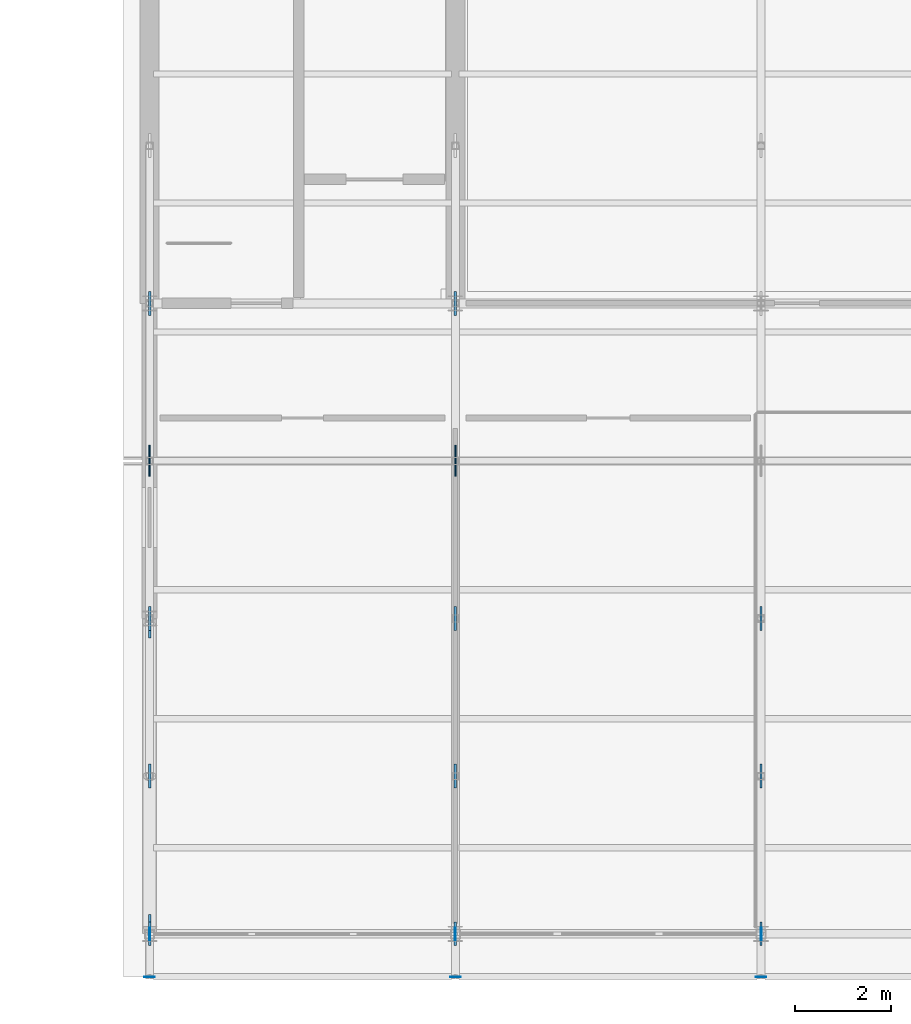
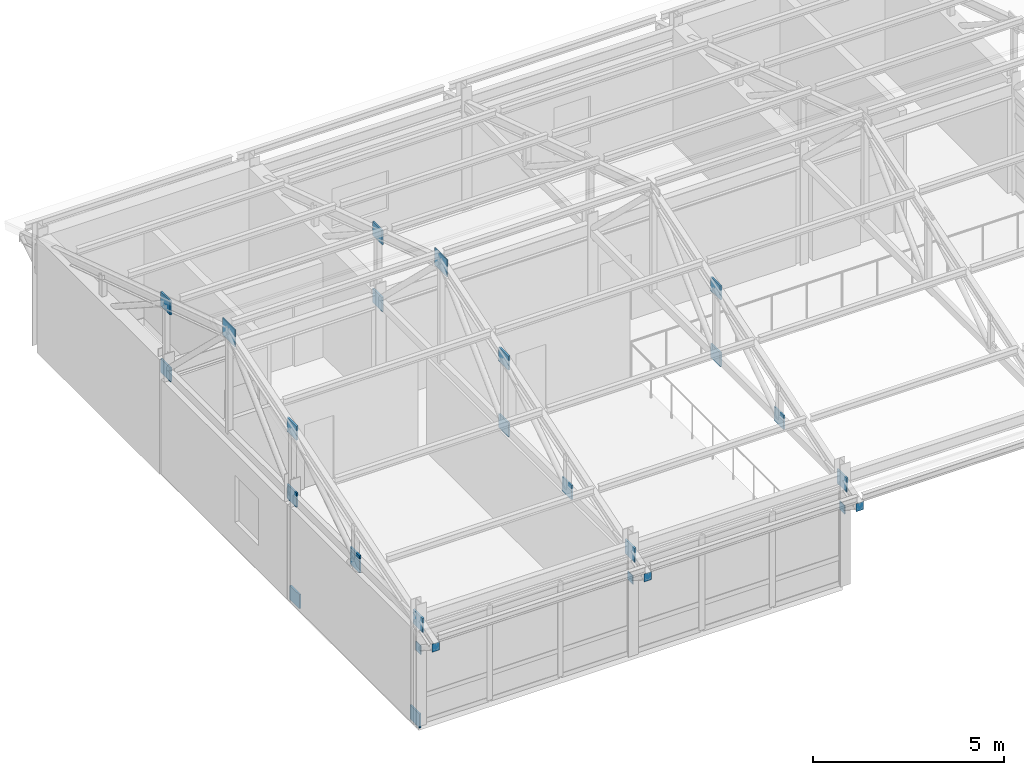
# One storey, part 39 of 57: 27 plates.
"""IFC4 building model written with IfcOpenShell, lengths in metres."""

from ifc_helpers import new_model, si_unit, direction, frame, origin, origin_2d, place, context, subcontext, project, spatial, rectangle, extrude, material, layer, layer_set, type_object, element, save


model = new_model("IFC4")

# Units and contexts
model_context = context("Model", 3, precision=1e-05, world=origin(), true_north=direction((0.0, 1.0)))
body_context = subcontext(model_context, "Body", "Model", "MODEL_VIEW")
ifc_project = project(units=[si_unit("LENGTHUNIT", "METRE"), si_unit("AREAUNIT", "SQUARE_METRE"), si_unit("VOLUMEUNIT", "CUBIC_METRE"), si_unit("PLANEANGLEUNIT", "RADIAN"), si_unit("MASSUNIT", "GRAM", prefix="KILO")], contexts=[model_context])

# Site, building, storey
site_placement = place(None, origin())
site = spatial("IfcSite", under=ifc_project, at=site_placement, CompositionType="ELEMENT")
building_placement = place(site_placement, origin())
building = spatial("IfcBuilding", under=site, at=building_placement, Name="Trelmorton Wharf Fire Station", CompositionType="ELEMENT")
storey_placement = place(building_placement, frame((0.0, 0.0, 13.5)))
storey = spatial("IfcBuildingStorey", under=building, at=storey_placement, Name="L03", CompositionType="ELEMENT", Elevation=13.5)

# Plates
ifc_material = material(Name="Steel Grade 350", Category="steel")
ifc_layer_1 = layer(ifc_material, 0.011962890625)
ifc_layer_set_1 = layer_set([ifc_layer_1], Name="Steel Grade 350")
plate_type_1 = type_object("IfcPlateType", Name="PL_ENDCAP_12", PredefinedType="SHEET", material=ifc_layer_set_1)
for number, where, z_axis, x_axis, name in (
    (1, (58.0, 6.89990234375, 2.84521484375), (0.0, 0.0, 1.0), (1.0, 0.0, 0.0), "PL-EC-0045"),
    (2, (64.39990234375, 6.89990234375, 2.84521484375), (0.0, 0.0, 1.0), (1.0, 0.0, 0.0), "PL-EC-0049"),
    (3, (70.800048828125, 6.89990234375, 2.84521484375), (0.0, 0.0, 1.0), (1.0, 0.0, 0.0), "PL-EC-0053"),
):
    element("IfcPlate", number, at=place(storey_placement, frame(where, z_axis=z_axis, x_axis=x_axis)), inside=storey, type_object=plate_type_1, Name=name, PredefinedType="SHEET", context=body_context, shape_type="SweptSolid", body=[
        extrude(rectangle(XDim=0.219970703125, YDim=0.011962890625, at=origin_2d()), origin(), (0.0, 0.0, 1.0), 0.260009765625),
    ])
ifc_layer_2 = layer(ifc_material, 0.02001953125)
ifc_layer_set_2 = layer_set([ifc_layer_2], Name="Steel Grade 350")
plate_type_2 = type_object("IfcPlateType", Name="PL_ENDCAP_20", PredefinedType="SHEET", material=ifc_layer_set_2)
for number, where, z_axis, x_axis, name in (
    (4, (58.0, 7.800048828125, 2.259765625), (0.0, 0.0, 1.0), (1.0, 0.0, 0.0), "PL-EC-0046"),
    (5, (64.39990234375, 7.800048828125, 2.259765625), (0.0, 0.0, 1.0), (1.0, 0.0, 0.0), "PL-EC-0050"),
    (6, (70.800048828125, 7.800048828125, 2.259765625), (0.0, 0.0, 1.0), (1.0, 0.0, 0.0), "PL-EC-0054"),
):
    element("IfcPlate", number, at=place(storey_placement, frame(where, z_axis=z_axis, x_axis=x_axis)), inside=storey, type_object=plate_type_2, Name=name, PredefinedType="SHEET", context=body_context, shape_type="SweptSolid", body=[
        extrude(rectangle(XDim=0.02001953125, YDim=0.260009765625, at=origin_2d()), origin(), (0.0, 0.0, 1.0), 0.280029296875),
    ])
ifc_layer_3 = layer(ifc_material, 0.030029296875)
ifc_layer_set_3 = layer_set([ifc_layer_3], Name="Steel Grade 350")
plate_type_3 = type_object("IfcPlateType", Name="PL_GUSSET_TN1", PredefinedType="USERDEFINED", material=ifc_layer_set_3)
for number, where, z_axis, x_axis, name in (
    (7, (58.0, 17.699951171875, 6.19091796875), (0.0, 0.0, 1.0), (1.0, 0.0, 0.0), "PL-TN-0250"),
    (8, (64.39990234375, 17.699951171875, 6.19091796875), (0.0, 0.0, 1.0), (1.0, 0.0, 0.0), "PL-TN-0259"),
):
    element("IfcPlate", number, at=place(storey_placement, frame(where, z_axis=z_axis, x_axis=x_axis)), inside=storey, type_object=plate_type_3, Name=name, ObjectType="GUSSET PLATE", PredefinedType="USERDEFINED", context=body_context, shape_type="SweptSolid", body=[
        extrude(rectangle(XDim=0.030029296875, YDim=0.64990234375, at=origin_2d()), origin(), (0.0, 0.0, 1.0), 0.550048828125),
    ])
ifc_layer_4 = layer(ifc_material, 0.050048828125)
ifc_layer_set_4 = layer_set([ifc_layer_4], Name="Steel Grade 350")
plate_type_4 = type_object("IfcPlateType", Name="PL_GUSSET_TN2", PredefinedType="USERDEFINED", material=ifc_layer_set_4)
for number, where, z_axis, x_axis, name in (
    (9, (58.0, 7.800048828125, 3.041015625), (0.0, 0.0, 1.0), (1.0, 0.0, 0.0), "PL-TN-0248"),
    (10, (58.0, 11.10009765625, 3.041015625), (0.0, 0.0, 1.0), (1.0, 0.0, 0.0), "PL-TN-0251"),
    (11, (58.0, 14.39990234375, 5.17431640625), (0.0, 0.0, 1.0), (1.0, 0.0, 0.0), "PL-TN-0252"),
    (12, (58.0, 14.39990234375, 3.041015625), (0.0, 0.0, 1.0), (1.0, 0.0, 0.0), "PL-TN-0253"),
    (13, (58.0, 21.0, 5.17431640625), (0.0, 0.0, 1.0), (1.0, 0.0, 0.0), "PL-TN-0255"),
    (14, (58.0, 21.0, 3.041015625), (0.0, 0.0, 1.0), (1.0, 0.0, 0.0), "PL-TN-0256"),
    (15, (64.39990234375, 7.800048828125, 3.041015625), (0.0, 0.0, 1.0), (1.0, 0.0, 0.0), "PL-TN-0257"),
    (16, (64.39990234375, 11.10009765625, 3.041015625), (0.0, 0.0, 1.0), (1.0, 0.0, 0.0), "PL-TN-0260"),
    (17, (64.39990234375, 14.39990234375, 5.17431640625), (0.0, 0.0, 1.0), (1.0, 0.0, 0.0), "PL-TN-0261"),
    (18, (64.39990234375, 14.39990234375, 3.041015625), (0.0, 0.0, 1.0), (1.0, 0.0, 0.0), "PL-TN-0262"),
    (19, (64.39990234375, 21.0, 5.17431640625), (0.0, 0.0, 1.0), (1.0, 0.0, 0.0), "PL-TN-0264"),
    (20, (64.39990234375, 21.0, 3.041015625), (0.0, 0.0, 1.0), (1.0, 0.0, 0.0), "PL-TN-0265"),
    (21, (70.800048828125, 7.800048828125, 3.041015625), (0.0, 0.0, 1.0), (1.0, 0.0, 0.0), "PL-TN-0266"),
    (22, (70.800048828125, 11.10009765625, 3.041015625), (0.0, 0.0, 1.0), (1.0, 0.0, 0.0), "PL-TN-0269"),
    (23, (70.800048828125, 14.39990234375, 5.17431640625), (0.0, 0.0, 1.0), (1.0, 0.0, 0.0), "PL-TN-0270"),
    (24, (70.800048828125, 14.39990234375, 3.041015625), (0.0, 0.0, 1.0), (1.0, 0.0, 0.0), "PL-TN-0271"),
    (25, (58.0, 7.95458984375, -0.10498046875), (0.0, 0.0, 1.0), (1.0, 0.0, 0.0), "PL-CBF-0370"),
    (26, (58.0, 14.24560546875, -0.10498046875), (0.0, 0.0, 1.0), (1.0, 0.0, 0.0), "PL-CBF-0371"),
    (27, (58.0, 11.10009765625, 2.94482421875), (0.0, 0.0, 1.0), (1.0, 0.0, 0.0), "PL-CBF-0372"),
):
    element("IfcPlate", number, at=place(storey_placement, frame(where, z_axis=z_axis, x_axis=x_axis)), inside=storey, type_object=plate_type_4, Name=name, ObjectType="GUSSET PLATE", PredefinedType="USERDEFINED", context=body_context, shape_type="SweptSolid", body=[
        extrude(rectangle(XDim=0.050048828125, YDim=0.5, at=origin_2d()), origin(), (0.0, 0.0, 1.0), 0.449951171875),
    ])

save(model, "model.ifc")
